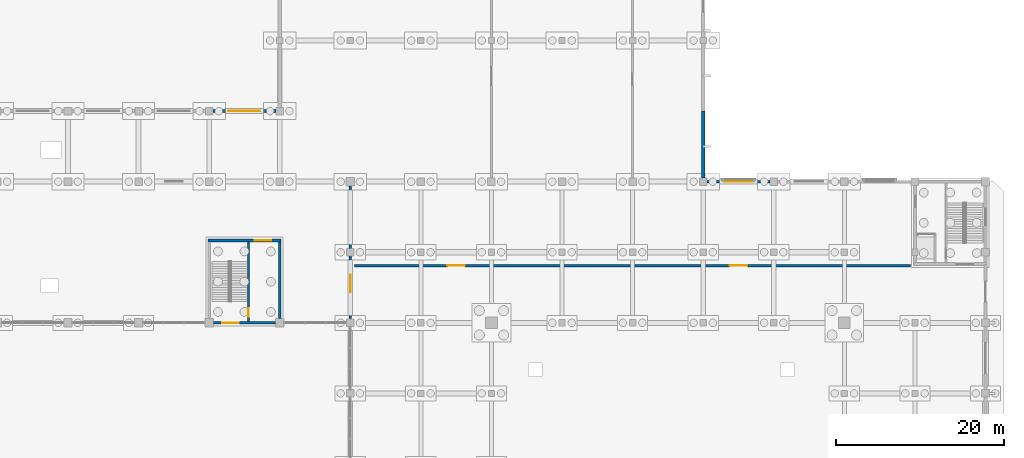
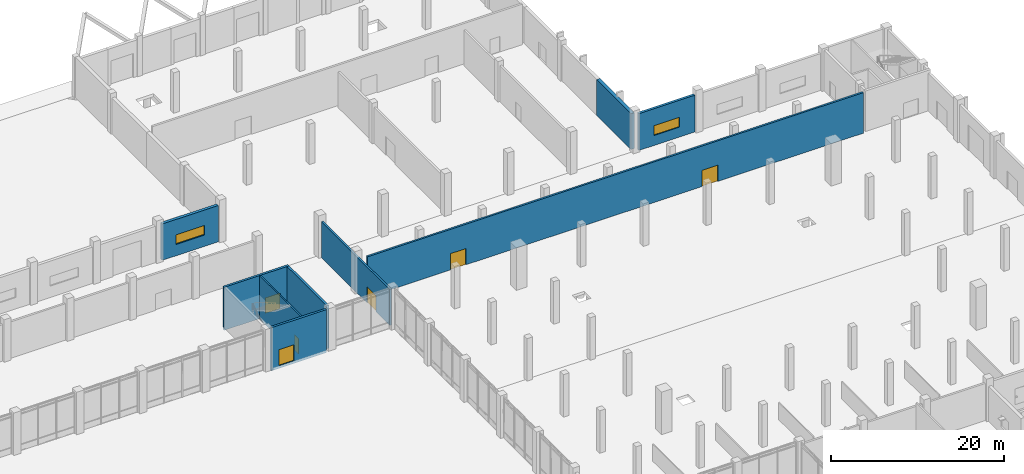
# One storey, part 59 of 72: 9 walls, 6 doors, 2 windows, 8 openings.
"""IFC4 building model written with IfcOpenShell, lengths in metres."""

from ifc_helpers import new_model, si_unit, direction, frame, frame_2d, origin, place, context, subcontext, project, spatial, rectangle, extrude, material, layer, layer_set, type_object, element, fill, save


model = new_model("IFC4")

# Units and contexts
model_context = context("Model", 3, precision=1e-05, world=origin(), true_north=direction((0.0, 1.0)))
body_context = subcontext(model_context, "Body", "Model", "MODEL_VIEW")
ifc_project = project(units=[si_unit("LENGTHUNIT", "METRE"), si_unit("AREAUNIT", "SQUARE_METRE"), si_unit("VOLUMEUNIT", "CUBIC_METRE"), si_unit("PLANEANGLEUNIT", "RADIAN"), si_unit("MASSUNIT", "GRAM", prefix="KILO")], contexts=[model_context])

# Site, building, storey
site_placement = place(None, origin())
site = spatial("IfcSite", under=ifc_project, at=site_placement, CompositionType="ELEMENT")
building_placement = place(site_placement, origin())
building = spatial("IfcBuilding", under=site, at=building_placement, Name="Qawsi Khor Wholesale Market", CompositionType="ELEMENT")
storey_placement = place(building_placement, origin())
storey = spatial("IfcBuildingStorey", under=building, at=storey_placement, Name="L00", CompositionType="ELEMENT", Elevation=0.0)

# Wall, opening, window
ifc_material_1 = material(Name="Concrete C40/50", Category="concrete")
ifc_layer_1 = layer(ifc_material_1, 0.3798828125, Name="Concrete C40/50")
ifc_layer_set_1 = layer_set([ifc_layer_1], Name="Concrete C40/50")
wall_type_1 = type_object("IfcWallType", Name="Auction Pavilion Acoustic Concrete Wall 380", PredefinedType="SOLIDWALL", material=ifc_layer_set_1)
wall_1_placement = place(storey_placement, frame((126.455078125, 117.60009765625, 0.0), z_axis=(0.0, 0.0, 1.0), x_axis=(1.0, 0.0, 0.0)))
wall_1 = element("IfcWall", 1, at=wall_1_placement, inside=storey, type_object=wall_type_1, Name="EW-L00-AUCN-15", PredefinedType="SOLIDWALL", context=body_context, shape_type="SweptSolid", body=[
    extrude(rectangle(XDim=7.489990234375, YDim=0.3798828125, at=frame_2d((3.7451171875, 0.0))), origin(), (0.0, 0.0, 1.0), 5.1298828125),
])
opening_1_placement = place(wall_1_placement, frame((1.844970703125, 0.0, 1.60009765625)))
opening_1 = element("IfcOpeningElement", 2, at=opening_1_placement, cuts=wall_1, Name="Opening W-16", PredefinedType="OPENING", context=body_context, shape_type="SweptSolid", body=[
    extrude(rectangle(XDim=3.800048828125, YDim=1.35009765625, at=frame_2d((1.89990234375, 0.675048828125))), frame((0.0, 0.199951171875, 0.0), z_axis=(0.0, -1.0, 0.0), x_axis=(1.0, 0.0, 0.0)), (0.0, 0.0, 1.0), 0.39990234375),
])
ifc_material_2 = material(Name="Thermally Broken Aluminium & Low-E Glass", Category="aluminium")
window_type_1 = type_object("IfcWindowType", Name="Win W-16 Auction High Clerestory 3800x1350", PartitioningType="SINGLE_PANEL", PredefinedType="WINDOW", material=ifc_material_2)
window_1_placement = place(opening_1_placement, origin())
window_1 = element("IfcWindow", 3, at=window_1_placement, inside=storey, type_object=window_type_1, Name="Win W-16 Auction High Clerestory 3800x1350 204", OverallHeight=1.35009765625, OverallWidth=3.800048828125, PartitioningType="SINGLE_PANEL", PredefinedType="WINDOW", context=body_context, shape_type="SweptSolid", body=[
    extrude(rectangle(XDim=3.800048828125, YDim=1.35009765625, at=frame_2d((1.89990234375, 0.675048828125))), frame((0.0, 0.030029296875, 0.0), z_axis=(0.0, -1.0, 0.0), x_axis=(1.0, 0.0, 0.0)), (0.0, 0.0, 1.0), 0.06005859375),
])
fill(opening_1, window_1)

# Wall
ifc_layer_2 = layer(ifc_material_1, 0.449951171875, Name="Concrete C40/50")
ifc_layer_set_2 = layer_set([ifc_layer_2], Name="Concrete C40/50")
wall_type_2 = type_object("IfcWallType", Name="Cold-Store Thermal Sandwich Concrete Wall 450", PredefinedType="SOLIDWALL", material=ifc_layer_set_2)
wall_2_placement = place(storey_placement, frame((184.800048828125, 117.60009765625, 0.0), z_axis=(0.0, 0.0, 1.0), x_axis=(0.0, -1.0, 0.0)))
element("IfcWall", 4, at=wall_2_placement, inside=storey, type_object=wall_type_2, Name="EW-L00-NEC-OUT-13", PredefinedType="SOLIDWALL", context=body_context, shape_type="SweptSolid", body=[
    extrude(rectangle(XDim=7.945068359375, YDim=0.449951171875, at=frame_2d((3.97265625, 0.0))), origin(), (0.0, 0.0, 1.0), 5.06005859375),
])

# Wall, opening, door
ifc_layer_3 = layer(ifc_material_1, 0.300048828125, Name="Concrete C40/50")
ifc_layer_set_3 = layer_set([ifc_layer_3], Name="Concrete C40/50")
wall_type_3 = type_object("IfcWallType", Name="Core Shear Wall RC 300 C40/50", PredefinedType="SHEAR", material=ifc_layer_set_3)
wall_3_placement = place(storey_placement, frame((133.89501953125, 92.39990234375, -0.360107421875), z_axis=(0.0, 0.0, 1.0), x_axis=(-1.0, 0.0, 0.0)))
wall_3 = element("IfcWall", 5, at=wall_3_placement, inside=storey, type_object=wall_type_3, Name="Core C10 south shear wall L00", PredefinedType="SHEAR", context=body_context, shape_type="SweptSolid", body=[
    extrude(rectangle(XDim=7.39013671875, YDim=0.300048828125, at=frame_2d((3.695068359375, 0.0))), origin(), (0.0, 0.0, 1.0), 6.080078125),
])
opening_2_placement = place(wall_3_placement, frame((4.344970703125, 0.0, 0.360107421875)))
opening_2 = element("IfcOpeningElement", 6, at=opening_2_placement, cuts=wall_3, Name="Opening ED-06", PredefinedType="OPENING", context=body_context, shape_type="SweptSolid", body=[
    extrude(rectangle(XDim=2.0, YDim=2.280029296875, at=frame_2d((1.0, 1.14013671875))), frame((0.0, 0.159912109375, 0.0), z_axis=(0.0, -1.0, 0.0), x_axis=(1.0, 0.0, 0.0)), (0.0, 0.0, 1.0), 0.320068359375),
])
ifc_material_3 = material(Name="Powder-Coated Galvanised Steel & Glazing", Category="steel")
door_type_1 = type_object("IfcDoorType", Name="Final Exit Stair Discharge Door 2000x2280 FD120S", OperationType="NOTDEFINED", PredefinedType="DOOR", material=ifc_material_3)
door_1_placement = place(opening_2_placement, origin())
door_1 = element("IfcDoor", 7, at=door_1_placement, inside=storey, type_object=door_type_1, Name="Final exit stair discharge door ST-10", OperationType="DOUBLE_DOOR_SINGLE_SWING", OverallHeight=2.280029296875, OverallWidth=2.0, PredefinedType="DOOR", context=body_context, shape_type="SweptSolid", body=[
    extrude(rectangle(XDim=2.0, YDim=2.280029296875, at=frame_2d((1.0, 1.14013671875))), frame((0.0, 0.02490234375, 0.0), z_axis=(0.0, -1.0, 0.0), x_axis=(1.0, 0.0, 0.0)), (0.0, 0.0, 1.0), 0.050048828125),
])
fill(opening_2, door_1)

wall_4_placement = place(storey_placement, frame((125.85009765625, 102.199951171875, -0.360107421875), z_axis=(0.0, 0.0, 1.0), x_axis=(1.0, 0.0, 0.0)))
wall_4 = element("IfcWall", 8, at=wall_4_placement, inside=storey, type_object=wall_type_3, Name="Core C10 north shear wall L00", PredefinedType="SHEAR", context=body_context, shape_type="SweptSolid", body=[
    extrude(rectangle(XDim=8.699951171875, YDim=0.300048828125, at=frame_2d((4.35009765625, 0.0))), origin(), (0.0, 0.0, 1.0), 6.080078125),
])
opening_3_placement = place(wall_4_placement, frame((5.570068359375, 0.0, 0.360107421875)))
opening_3 = element("IfcOpeningElement", 9, at=opening_3_placement, cuts=wall_4, Name="Opening ID-01", PredefinedType="OPENING", context=body_context, shape_type="SweptSolid", body=[
    extrude(rectangle(XDim=1.9599609375, YDim=2.199951171875, at=frame_2d((0.97998046875, 1.10009765625))), frame((0.0, 0.159912109375, 0.0), z_axis=(0.0, -1.0, 0.0), x_axis=(1.0, 0.0, 0.0)), (0.0, 0.0, 1.0), 0.320068359375),
])
ifc_material_4 = material(Name="Steel Fire Door", Category="steel")
door_type_2 = type_object("IfcDoorType", Name="Stair & Core Fire Door 1960x2200 FD90S", OperationType="NOTDEFINED", PredefinedType="DOOR", material=ifc_material_4)
door_2_placement = place(opening_3_placement, origin())
door_2 = element("IfcDoor", 10, at=door_2_placement, inside=storey, type_object=door_type_2, Name="Core C10 fire door L00", OperationType="DOUBLE_DOOR_SINGLE_SWING", OverallHeight=2.199951171875, OverallWidth=1.9599609375, PredefinedType="DOOR", context=body_context, shape_type="SweptSolid", body=[
    extrude(rectangle(XDim=1.9599609375, YDim=2.199951171875, at=frame_2d((0.97998046875, 1.10009765625))), frame((0.0, 0.02490234375, 0.0), z_axis=(0.0, -1.0, 0.0), x_axis=(1.0, 0.0, 0.0)), (0.0, 0.0, 1.0), 0.050048828125),
])
fill(opening_3, door_2)

# Wall
wall_5_placement = place(storey_placement, frame((134.39990234375, 102.050048828125, -0.360107421875), z_axis=(0.0, 0.0, 1.0), x_axis=(0.0, -1.0, 0.0)))
element("IfcWall", 11, at=wall_5_placement, inside=storey, type_object=wall_type_3, Name="Core C10 east shear wall L00", PredefinedType="SHEAR", context=body_context, shape_type="SweptSolid", body=[
    extrude(rectangle(XDim=9.14501953125, YDim=0.300048828125, at=frame_2d((4.572509765625, 0.0))), origin(), (0.0, 0.0, 1.0), 6.080078125),
])

# Wall, openings, doors
ifc_material_5 = material(Name="Concrete Blockwork & Plaster", Category="masonry")
ifc_layer_4 = layer(ifc_material_5, 0.25, Name="Concrete Blockwork & Plaster")
ifc_layer_set_4 = layer_set([ifc_layer_4], Name="Concrete Blockwork & Plaster")
wall_type_4 = type_object("IfcWallType", Name="Fire Compartment Masonry Wall 250", PredefinedType="SOLIDWALL", material=ifc_layer_set_4)
wall_6_placement = place(storey_placement, frame((143.300048828125, 99.199951171875, 0.0), z_axis=(0.0, 0.0, 1.0), x_axis=(1.0, 0.0, 0.0)))
wall_6 = element("IfcWall", 12, at=wall_6_placement, inside=storey, type_object=wall_type_4, Name="PW-L00-008", PredefinedType="SOLIDWALL", context=body_context, shape_type="SweptSolid", body=[
    extrude(rectangle(XDim=66.199951171875, YDim=0.25, at=frame_2d((33.10009765625, 0.0))), origin(), (0.0, 0.0, 1.0), 5.72998046875),
])
opening_4_placement = place(wall_6_placement, frame((11.050048828125, 0.0, 0.0)))
opening_4 = element("IfcOpeningElement", 13, at=opening_4_placement, cuts=wall_6, Name="Opening ID-03", PredefinedType="OPENING", context=body_context, shape_type="SweptSolid", body=[
    extrude(rectangle(XDim=2.10009765625, YDim=2.300048828125, at=frame_2d((1.050048828125, 1.14990234375))), frame((0.0, 0.135009765625, 0.0), z_axis=(0.0, -1.0, 0.0), x_axis=(1.0, 0.0, 0.0)), (0.0, 0.0, 1.0), 0.27001953125),
])
opening_5_placement = place(wall_6_placement, frame((44.64990234375, 0.0, 0.0)))
opening_5 = element("IfcOpeningElement", 14, at=opening_5_placement, cuts=wall_6, Name="Opening ID-03", PredefinedType="OPENING", context=body_context, shape_type="SweptSolid", body=[
    extrude(rectangle(XDim=2.10009765625, YDim=2.300048828125, at=frame_2d((1.050048828125, 1.14990234375))), frame((0.0, 0.135009765625, 0.0), z_axis=(0.0, -1.0, 0.0), x_axis=(1.0, 0.0, 0.0)), (0.0, 0.0, 1.0), 0.27001953125),
])
ifc_material_6 = material(Name="Glazed Steel Fire Door", Category="steel")
door_type_3 = type_object("IfcDoorType", Name="Hall Concourse Double Door 2100x2300 FD60S", OperationType="NOTDEFINED", PredefinedType="DOOR", material=ifc_material_6)
door_3_placement = place(opening_4_placement, origin())
door_3 = element("IfcDoor", 15, at=door_3_placement, inside=storey, type_object=door_type_3, Name="Hall Concourse Double Door 2100x2300 FD60S L00-015", OperationType="DOUBLE_DOOR_SINGLE_SWING", OverallHeight=2.300048828125, OverallWidth=2.10009765625, PredefinedType="DOOR", context=body_context, shape_type="SweptSolid", body=[
    extrude(rectangle(XDim=2.10009765625, YDim=2.300048828125, at=frame_2d((1.050048828125, 1.14990234375))), frame((0.0, 0.02490234375, 0.0), z_axis=(0.0, -1.0, 0.0), x_axis=(1.0, 0.0, 0.0)), (0.0, 0.0, 1.0), 0.050048828125),
])
fill(opening_4, door_3)
door_4_placement = place(opening_5_placement, origin())
door_4 = element("IfcDoor", 16, at=door_4_placement, inside=storey, type_object=door_type_3, Name="Hall Concourse Double Door 2100x2300 FD60S L00-016", OperationType="DOUBLE_DOOR_SINGLE_SWING", OverallHeight=2.300048828125, OverallWidth=2.10009765625, PredefinedType="DOOR", context=body_context, shape_type="SweptSolid", body=[
    extrude(rectangle(XDim=2.10009765625, YDim=2.300048828125, at=frame_2d((1.050048828125, 1.14990234375))), frame((0.0, 0.02490234375, 0.0), z_axis=(0.0, -1.0, 0.0), x_axis=(1.0, 0.0, 0.0)), (0.0, 0.0, 1.0), 0.050048828125),
])
fill(opening_5, door_4)

# Wall, opening, door
wall_7_placement = place(storey_placement, frame((142.800048828125, 92.89990234375, 0.0), z_axis=(0.0, 0.0, 1.0), x_axis=(0.0, 1.0, 0.0)))
wall_7 = element("IfcWall", 17, at=wall_7_placement, inside=storey, type_object=wall_type_4, Name="PW-L00-025", PredefinedType="SOLIDWALL", context=body_context, shape_type="SweptSolid", body=[
    extrude(rectangle(XDim=15.800048828125, YDim=0.25, at=frame_2d((7.89990234375, 0.0))), origin(), (0.0, 0.0, 1.0), 5.070068359375),
])
opening_6_placement = place(wall_7_placement, frame((3.14990234375, 0.0, 0.0)))
opening_6 = element("IfcOpeningElement", 18, at=opening_6_placement, cuts=wall_7, Name="Opening ID-03", PredefinedType="OPENING", context=body_context, shape_type="SweptSolid", body=[
    extrude(rectangle(XDim=2.10009765625, YDim=2.300048828125, at=frame_2d((1.050048828125, 1.14990234375))), frame((0.0, 0.135009765625, 0.0), z_axis=(0.0, -1.0, 0.0), x_axis=(1.0, 0.0, 0.0)), (0.0, 0.0, 1.0), 0.27001953125),
])
door_5_placement = place(opening_6_placement, origin())
door_5 = element("IfcDoor", 19, at=door_5_placement, inside=storey, type_object=door_type_3, Name="Hall Concourse Double Door 2100x2300 FD60S L00-020", OperationType="DOUBLE_DOOR_SINGLE_SWING", OverallHeight=2.300048828125, OverallWidth=2.10009765625, PredefinedType="DOOR", context=body_context, shape_type="SweptSolid", body=[
    extrude(rectangle(XDim=2.10009765625, YDim=2.300048828125, at=frame_2d((1.050048828125, 1.14990234375))), frame((0.0, 0.02490234375, 0.0), z_axis=(0.0, -1.0, 0.0), x_axis=(1.0, 0.0, 0.0)), (0.0, 0.0, 1.0), 0.050048828125),
])
fill(opening_6, door_5)

# Wall, opening, window
ifc_layer_5 = layer(ifc_material_1, 0.330078125, Name="Concrete C40/50")
ifc_layer_set_5 = layer_set([ifc_layer_5], Name="Concrete C40/50")
wall_type_5 = type_object("IfcWallType", Name="Fish Hall Precast Insulated Wall 330", PredefinedType="SOLIDWALL", material=ifc_layer_set_5)
wall_8_placement = place(storey_placement, frame((185.2548828125, 109.199951171875, 0.0), z_axis=(0.0, 0.0, 1.0), x_axis=(1.0, 0.0, 0.0)))
wall_8 = element("IfcWall", 20, at=wall_8_placement, inside=storey, type_object=wall_type_5, Name="EW-L00-EHN-22", PredefinedType="SOLIDWALL", context=body_context, shape_type="SweptSolid", body=[
    extrude(rectangle(XDim=7.490234375, YDim=0.330078125, at=frame_2d((3.7451171875, 0.0))), origin(), (0.0, 0.0, 1.0), 5.18994140625),
])
opening_7_placement = place(wall_8_placement, frame((2.044921875, 0.0, 1.39990234375)))
opening_7 = element("IfcOpeningElement", 21, at=opening_7_placement, cuts=wall_8, Name="Opening W-14", PredefinedType="OPENING", context=body_context, shape_type="SweptSolid", body=[
    extrude(rectangle(XDim=3.39990234375, YDim=1.39990234375, at=frame_2d((1.699951171875, 0.699951171875))), frame((0.0, 0.175048828125, 0.0), z_axis=(0.0, -1.0, 0.0), x_axis=(1.0, 0.0, 0.0)), (0.0, 0.0, 1.0), 0.35009765625),
])
window_type_2 = type_object("IfcWindowType", Name="Win W-14 Flower Hall North Light 3400x1400", PartitioningType="SINGLE_PANEL", PredefinedType="WINDOW", material=ifc_material_2)
window_2_placement = place(opening_7_placement, origin())
window_2 = element("IfcWindow", 22, at=window_2_placement, inside=storey, type_object=window_type_2, Name="Win W-14 Flower Hall North Light 3400x1400 181", OverallHeight=1.39990234375, OverallWidth=3.39990234375, PartitioningType="SINGLE_PANEL", PredefinedType="WINDOW", context=body_context, shape_type="SweptSolid", body=[
    extrude(rectangle(XDim=3.39990234375, YDim=1.39990234375, at=frame_2d((1.699951171875, 0.699951171875))), frame((0.0, 0.030029296875, 0.0), z_axis=(0.0, -1.0, 0.0), x_axis=(1.0, 0.0, 0.0)), (0.0, 0.0, 1.0), 0.06005859375),
])
fill(opening_7, window_2)

# Wall, opening, door
ifc_layer_6 = layer(ifc_material_1, 0.18994140625, Name="Concrete C40/50")
ifc_layer_set_6 = layer_set([ifc_layer_6], Name="Concrete C40/50")
wall_type_6 = type_object("IfcWallType", Name="Stairwell Enclosure Wall RC 190", PredefinedType="SOLIDWALL", material=ifc_layer_set_6)
wall_9_placement = place(storey_placement, frame((130.679931640625, 92.56005859375, -0.360107421875), z_axis=(0.0, 0.0, 1.0), x_axis=(0.0, 1.0, 0.0)))
wall_9 = element("IfcWall", 23, at=wall_9_placement, inside=storey, type_object=wall_type_6, Name="Core C10 stairwell enclosure wall L00", PredefinedType="SOLIDWALL", context=body_context, shape_type="SweptSolid", body=[
    extrude(rectangle(XDim=9.47998046875, YDim=0.18994140625, at=frame_2d((4.739990234375, 0.0))), origin(), (0.0, 0.0, 1.0), 6.080078125),
])
opening_8_placement = place(wall_9_placement, frame((0.580078125, 0.0, 0.360107421875)))
opening_8 = element("IfcOpeningElement", 24, at=opening_8_placement, cuts=wall_9, Name="Opening ID-17", PredefinedType="OPENING", context=body_context, shape_type="SweptSolid", body=[
    extrude(rectangle(XDim=0.97998046875, YDim=2.14990234375, at=frame_2d((0.489990234375, 1.074951171875))), frame((0.0, 0.10498046875, 0.0), z_axis=(0.0, -1.0, 0.0), x_axis=(1.0, 0.0, 0.0)), (0.0, 0.0, 1.0), 0.2099609375),
])
door_type_4 = type_object("IfcDoorType", Name="Core Stair Lobby Fire Door 980x2150 FD120S", OperationType="NOTDEFINED", PredefinedType="DOOR", material=ifc_material_4)
door_6_placement = place(opening_8_placement, origin())
door_6 = element("IfcDoor", 25, at=door_6_placement, inside=storey, type_object=door_type_4, Name="Core C10 stair enclosure fire door L00", OperationType="SINGLE_SWING_LEFT", OverallHeight=2.14990234375, OverallWidth=0.97998046875, PredefinedType="DOOR", context=body_context, shape_type="SweptSolid", body=[
    extrude(rectangle(XDim=0.97998046875, YDim=2.14990234375, at=frame_2d((0.489990234375, 1.074951171875))), frame((0.0, 0.02490234375, 0.0), z_axis=(0.0, -1.0, 0.0), x_axis=(1.0, 0.0, 0.0)), (0.0, 0.0, 1.0), 0.050048828125),
])
fill(opening_8, door_6)

save(model, "model.ifc")
